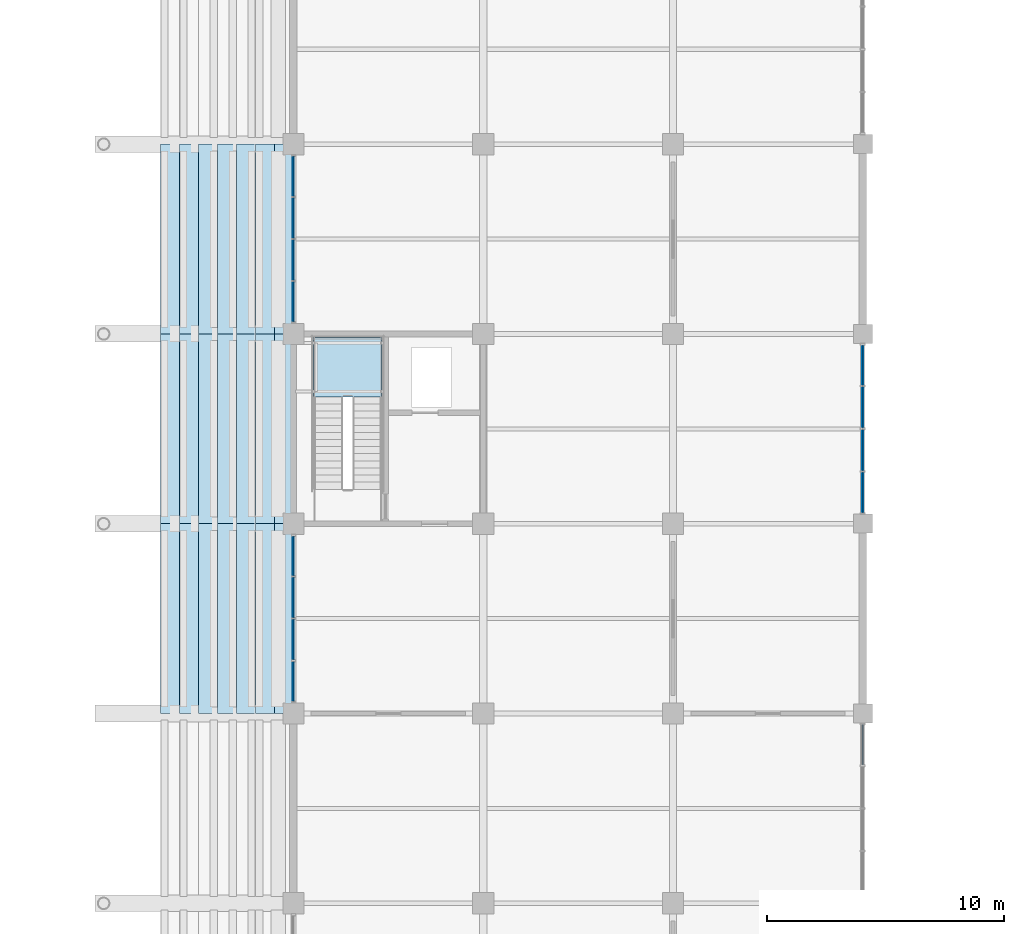
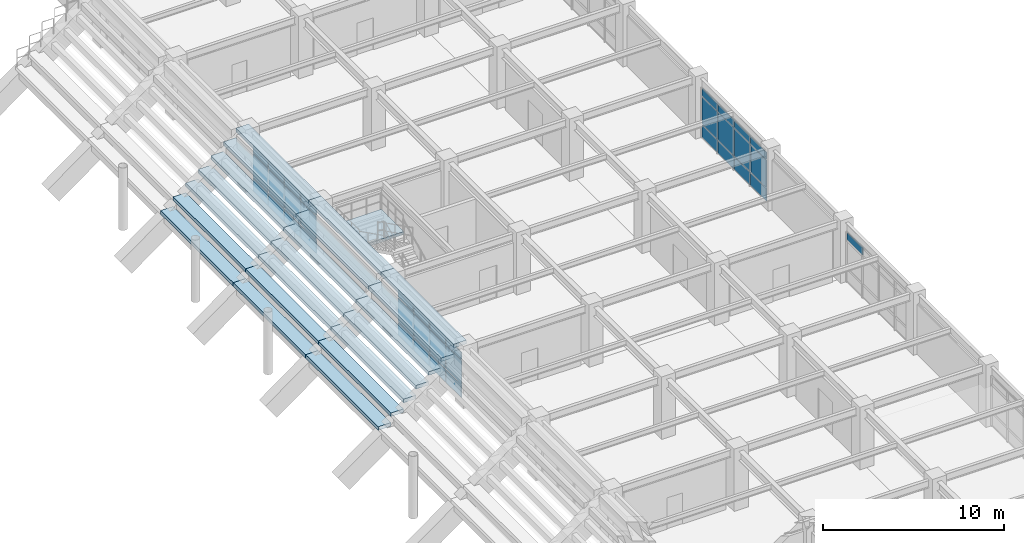
# One storey, part 76 of 118: 37 plates, 22 slabs, 5 elements without a shape of their own.
"""IFC4 building model written with IfcOpenShell, lengths in metres."""

from ifc_helpers import new_model, si_unit, direction, frame, origin, origin_2d, place, context, subcontext, project, spatial, polyline, rectangle, outline, extrude, material, layer, layer_set, type_object, element, aggregate, save


model = new_model("IFC4")

# Units and contexts
model_context = context("Model", 3, precision=1e-05, world=origin(), true_north=direction((0.0, 1.0)))
body_context = subcontext(model_context, "Body", "Model", "MODEL_VIEW")
ifc_project = project(units=[si_unit("LENGTHUNIT", "METRE"), si_unit("AREAUNIT", "SQUARE_METRE"), si_unit("VOLUMEUNIT", "CUBIC_METRE"), si_unit("PLANEANGLEUNIT", "RADIAN"), si_unit("MASSUNIT", "GRAM", prefix="KILO")], contexts=[model_context])

# Site, building, storey
site_placement = place(None, origin())
site = spatial("IfcSite", under=ifc_project, at=site_placement, CompositionType="ELEMENT")
building_placement = place(site_placement, origin())
building = spatial("IfcBuilding", under=site, at=building_placement, Name="Haebicheon Civic Stadium", CompositionType="ELEMENT")
storey_placement = place(building_placement, frame((0.0, 0.0, 14.39990234375)))
storey = spatial("IfcBuildingStorey", under=building, at=storey_placement, Name="L04", CompositionType="ELEMENT", Elevation=14.39990234375)

# Curtain wall, plates
ifc_material_1 = material(Name="Anodised aluminium and laminated glass", Category="aluminium")
ifc_layer_1 = layer(ifc_material_1, 0.179931640625, Name="Anodised aluminium and laminated glass")
ifc_layer_set_1 = layer_set([ifc_layer_1], Name="Anodised aluminium and laminated glass")
curtain_wall_type_1 = type_object("IfcCurtainWallType", Name="CW-7100x3100", PredefinedType="NOTDEFINED", material=ifc_layer_set_1)
curtain_wall_1_placement = place(storey_placement, origin())
curtain_wall_1 = element("IfcCurtainWall", 1, at=curtain_wall_1_placement, inside=storey, type_object=curtain_wall_type_1, material=ifc_layer_set_1, Name="L04 unitised curtain wall 145", PredefinedType="NOTDEFINED")
ifc_material_2 = material(Name="Double low-e acoustic laminated glass", Category="glass")
ifc_layer_2 = layer(ifc_material_2, 0.035888671875, Name="Double low-e acoustic laminated glass")
ifc_layer_set_2 = layer_set([ifc_layer_2], Name="Double low-e acoustic laminated glass")
plate_type_1 = type_object("IfcPlateType", Name="CWP-GLZ-36", PredefinedType="CURTAIN_PANEL", material=ifc_layer_set_2)
plate_1_placement = place(storey_placement, frame((144.0, 97.35498046875, 0.93505859375), z_axis=(0.0, 0.0, 1.0), x_axis=(0.0, 1.0, 0.0)))
plate_1 = element("IfcPlate", 2, at=plate_1_placement, type_object=plate_type_1, material=ifc_layer_set_2, Name="CW-L04-145 vision panel 1.2", PredefinedType="CURTAIN_PANEL", context=body_context, shape_type="SweptSolid", body=[
    extrude(rectangle(XDim=1.669921875, YDim=0.035888671875, at=origin_2d()), origin(), (0.0, 0.0, 1.0), 1.580078125),
])
plate_2_placement = place(storey_placement, frame((144.0, 99.112060546875, 0.93505859375), z_axis=(0.0, 0.0, 1.0), x_axis=(0.0, 1.0, 0.0)))
plate_2 = element("IfcPlate", 3, at=plate_2_placement, type_object=plate_type_1, material=ifc_layer_set_2, Name="CW-L04-145 vision panel 2.2", PredefinedType="CURTAIN_PANEL", context=body_context, shape_type="SweptSolid", body=[
    extrude(rectangle(XDim=1.705078125, YDim=0.035888671875, at=origin_2d()), origin(), (0.0, 0.0, 1.0), 1.580078125),
])
plate_3_placement = place(storey_placement, frame((144.0, 100.887939453125, 0.93505859375), z_axis=(0.0, 0.0, 1.0), x_axis=(0.0, 1.0, 0.0)))
plate_3 = element("IfcPlate", 4, at=plate_3_placement, type_object=plate_type_1, material=ifc_layer_set_2, Name="CW-L04-145 vision panel 3.2", PredefinedType="CURTAIN_PANEL", context=body_context, shape_type="SweptSolid", body=[
    extrude(rectangle(XDim=1.705078125, YDim=0.035888671875, at=origin_2d()), origin(), (0.0, 0.0, 1.0), 1.580078125),
])
plate_4_placement = place(storey_placement, frame((144.0, 102.64501953125, 0.93505859375), z_axis=(0.0, 0.0, 1.0), x_axis=(0.0, 1.0, 0.0)))
plate_4 = element("IfcPlate", 5, at=plate_4_placement, type_object=plate_type_1, material=ifc_layer_set_2, Name="CW-L04-145 vision panel 4.2", PredefinedType="CURTAIN_PANEL", context=body_context, shape_type="SweptSolid", body=[
    extrude(rectangle(XDim=1.669921875, YDim=0.035888671875, at=origin_2d()), origin(), (0.0, 0.0, 1.0), 1.580078125),
])

curtain_wall_2_placement = place(storey_placement, origin())
curtain_wall_2 = element("IfcCurtainWall", 6, at=curtain_wall_2_placement, inside=storey, type_object=curtain_wall_type_1, material=ifc_layer_set_1, Name="L04 unitised curtain wall 146", PredefinedType="NOTDEFINED")
plate_5_placement = place(storey_placement, frame((144.0, 113.35498046875, 0.93505859375), z_axis=(0.0, 0.0, 1.0), x_axis=(0.0, 1.0, 0.0)))
plate_5 = element("IfcPlate", 7, at=plate_5_placement, type_object=plate_type_1, material=ifc_layer_set_2, Name="CW-L04-146 vision panel 1.2", PredefinedType="CURTAIN_PANEL", context=body_context, shape_type="SweptSolid", body=[
    extrude(rectangle(XDim=1.669921875, YDim=0.035888671875, at=origin_2d()), origin(), (0.0, 0.0, 1.0), 1.580078125),
])
plate_6_placement = place(storey_placement, frame((144.0, 115.112060546875, 0.93505859375), z_axis=(0.0, 0.0, 1.0), x_axis=(0.0, 1.0, 0.0)))
plate_6 = element("IfcPlate", 8, at=plate_6_placement, type_object=plate_type_1, material=ifc_layer_set_2, Name="CW-L04-146 vision panel 2.2", PredefinedType="CURTAIN_PANEL", context=body_context, shape_type="SweptSolid", body=[
    extrude(rectangle(XDim=1.705078125, YDim=0.035888671875, at=origin_2d()), origin(), (0.0, 0.0, 1.0), 1.580078125),
])
plate_7_placement = place(storey_placement, frame((144.0, 116.887939453125, 0.93505859375), z_axis=(0.0, 0.0, 1.0), x_axis=(0.0, 1.0, 0.0)))
plate_7 = element("IfcPlate", 9, at=plate_7_placement, type_object=plate_type_1, material=ifc_layer_set_2, Name="CW-L04-146 vision panel 3.2", PredefinedType="CURTAIN_PANEL", context=body_context, shape_type="SweptSolid", body=[
    extrude(rectangle(XDim=1.705078125, YDim=0.035888671875, at=origin_2d()), origin(), (0.0, 0.0, 1.0), 1.580078125),
])
plate_8_placement = place(storey_placement, frame((144.0, 118.64501953125, 0.93505859375), z_axis=(0.0, 0.0, 1.0), x_axis=(0.0, 1.0, 0.0)))
plate_8 = element("IfcPlate", 10, at=plate_8_placement, type_object=plate_type_1, material=ifc_layer_set_2, Name="CW-L04-146 vision panel 4.2", PredefinedType="CURTAIN_PANEL", context=body_context, shape_type="SweptSolid", body=[
    extrude(rectangle(XDim=1.669921875, YDim=0.035888671875, at=origin_2d()), origin(), (0.0, 0.0, 1.0), 1.580078125),
])

ifc_material_3 = material(Name="Anodised aluminium and laminated glass", Category="aluminium")
ifc_layer_3 = layer(ifc_material_3, 0.179931640625, Name="Anodised aluminium and laminated glass")
ifc_layer_set_3 = layer_set([ifc_layer_3], Name="Anodised aluminium and laminated glass")
curtain_wall_type_2 = type_object("IfcCurtainWallType", Name="CW-7200x3350", PredefinedType="NOTDEFINED", material=ifc_layer_set_3)
curtain_wall_3_placement = place(storey_placement, origin())
curtain_wall_3 = element("IfcCurtainWall", 11, at=curtain_wall_3_placement, inside=storey, type_object=curtain_wall_type_2, material=ifc_layer_set_3, Name="L04 unitised curtain wall 157", PredefinedType="NOTDEFINED")
plate_9_placement = place(storey_placement, frame((168.0, 105.318115234375, 0.93505859375), z_axis=(0.0, 0.0, 1.0), x_axis=(0.0, 1.0, 0.0)))
plate_9 = element("IfcPlate", 12, at=plate_9_placement, type_object=plate_type_1, material=ifc_layer_set_2, Name="CW-L04-157 vision panel 1.2", PredefinedType="CURTAIN_PANEL", context=body_context, shape_type="SweptSolid", body=[
    extrude(rectangle(XDim=1.695068359375, YDim=0.035888671875, at=origin_2d()), origin(), (0.0, 0.0, 1.0), 1.830078125),
])
plate_10_placement = place(storey_placement, frame((168.0, 107.10009765625, 0.93505859375), z_axis=(0.0, 0.0, 1.0), x_axis=(0.0, 1.0, 0.0)))
plate_10 = element("IfcPlate", 13, at=plate_10_placement, type_object=plate_type_1, material=ifc_layer_set_2, Name="CW-L04-157 vision panel 2.2", PredefinedType="CURTAIN_PANEL", context=body_context, shape_type="SweptSolid", body=[
    extrude(rectangle(XDim=1.72998046875, YDim=0.035888671875, at=origin_2d()), origin(), (0.0, 0.0, 1.0), 1.830078125),
])
plate_11_placement = place(storey_placement, frame((168.0, 108.89990234375, 0.93505859375), z_axis=(0.0, 0.0, 1.0), x_axis=(0.0, 1.0, 0.0)))
plate_11 = element("IfcPlate", 14, at=plate_11_placement, type_object=plate_type_1, material=ifc_layer_set_2, Name="CW-L04-157 vision panel 3.2", PredefinedType="CURTAIN_PANEL", context=body_context, shape_type="SweptSolid", body=[
    extrude(rectangle(XDim=1.72998046875, YDim=0.035888671875, at=origin_2d()), origin(), (0.0, 0.0, 1.0), 1.830078125),
])
plate_12_placement = place(storey_placement, frame((168.0, 110.681884765625, 0.93505859375), z_axis=(0.0, 0.0, 1.0), x_axis=(0.0, 1.0, 0.0)))
plate_12 = element("IfcPlate", 15, at=plate_12_placement, type_object=plate_type_1, material=ifc_layer_set_2, Name="CW-L04-157 vision panel 4.2", PredefinedType="CURTAIN_PANEL", context=body_context, shape_type="SweptSolid", body=[
    extrude(rectangle(XDim=1.695068359375, YDim=0.035888671875, at=origin_2d()), origin(), (0.0, 0.0, 1.0), 1.830078125),
])

# Plate
ifc_material_4 = material(Name="Anodised aluminium 6063-T6", Category="aluminium")
ifc_layer_4 = layer(ifc_material_4, 0.053955078125, Name="Anodised aluminium 6063-T6")
ifc_layer_set_4 = layer_set([ifc_layer_4], Name="Anodised aluminium 6063-T6")
plate_type_2 = type_object("IfcPlateType", Name="CWP-SPD-54", PredefinedType="CURTAIN_PANEL", material=ifc_layer_set_4)
plate_13_placement = place(storey_placement, frame((144.0, 97.35498046875, 0.03515625), z_axis=(0.0, 0.0, 1.0), x_axis=(0.0, 1.0, 0.0)))
plate_13 = element("IfcPlate", 16, at=plate_13_placement, type_object=plate_type_2, material=ifc_layer_set_4, Name="CW-L04-145 spandrel panel 1.1", PredefinedType="CURTAIN_PANEL", context=body_context, shape_type="SweptSolid", body=[
    extrude(rectangle(XDim=1.669921875, YDim=0.053955078125, at=origin_2d()), origin(), (0.0, 0.0, 1.0), 0.830078125),
])

plate_14_placement = place(storey_placement, frame((144.0, 97.35498046875, 2.585205078125), z_axis=(0.0, 0.0, 1.0), x_axis=(0.0, 1.0, 0.0)))
plate_14 = element("IfcPlate", 17, at=plate_14_placement, type_object=plate_type_2, material=ifc_layer_set_4, Name="CW-L04-145 spandrel panel 1.3", PredefinedType="CURTAIN_PANEL", context=body_context, shape_type="SweptSolid", body=[
    extrude(rectangle(XDim=1.669921875, YDim=0.053955078125, at=origin_2d()), origin(), (0.0, 0.0, 1.0), 0.47998046875),
])

plate_15_placement = place(storey_placement, frame((144.0, 99.112060546875, 0.03515625), z_axis=(0.0, 0.0, 1.0), x_axis=(0.0, 1.0, 0.0)))
plate_15 = element("IfcPlate", 18, at=plate_15_placement, type_object=plate_type_2, material=ifc_layer_set_4, Name="CW-L04-145 spandrel panel 2.1", PredefinedType="CURTAIN_PANEL", context=body_context, shape_type="SweptSolid", body=[
    extrude(rectangle(XDim=1.705078125, YDim=0.053955078125, at=origin_2d()), origin(), (0.0, 0.0, 1.0), 0.830078125),
])

plate_16_placement = place(storey_placement, frame((144.0, 99.112060546875, 2.585205078125), z_axis=(0.0, 0.0, 1.0), x_axis=(0.0, 1.0, 0.0)))
plate_16 = element("IfcPlate", 19, at=plate_16_placement, type_object=plate_type_2, material=ifc_layer_set_4, Name="CW-L04-145 spandrel panel 2.3", PredefinedType="CURTAIN_PANEL", context=body_context, shape_type="SweptSolid", body=[
    extrude(rectangle(XDim=1.705078125, YDim=0.053955078125, at=origin_2d()), origin(), (0.0, 0.0, 1.0), 0.47998046875),
])

plate_17_placement = place(storey_placement, frame((144.0, 100.887939453125, 0.03515625), z_axis=(0.0, 0.0, 1.0), x_axis=(0.0, 1.0, 0.0)))
plate_17 = element("IfcPlate", 20, at=plate_17_placement, type_object=plate_type_2, material=ifc_layer_set_4, Name="CW-L04-145 spandrel panel 3.1", PredefinedType="CURTAIN_PANEL", context=body_context, shape_type="SweptSolid", body=[
    extrude(rectangle(XDim=1.705078125, YDim=0.053955078125, at=origin_2d()), origin(), (0.0, 0.0, 1.0), 0.830078125),
])

plate_18_placement = place(storey_placement, frame((144.0, 100.887939453125, 2.585205078125), z_axis=(0.0, 0.0, 1.0), x_axis=(0.0, 1.0, 0.0)))
plate_18 = element("IfcPlate", 21, at=plate_18_placement, type_object=plate_type_2, material=ifc_layer_set_4, Name="CW-L04-145 spandrel panel 3.3", PredefinedType="CURTAIN_PANEL", context=body_context, shape_type="SweptSolid", body=[
    extrude(rectangle(XDim=1.705078125, YDim=0.053955078125, at=origin_2d()), origin(), (0.0, 0.0, 1.0), 0.47998046875),
])

plate_19_placement = place(storey_placement, frame((144.0, 102.64501953125, 0.03515625), z_axis=(0.0, 0.0, 1.0), x_axis=(0.0, 1.0, 0.0)))
plate_19 = element("IfcPlate", 22, at=plate_19_placement, type_object=plate_type_2, material=ifc_layer_set_4, Name="CW-L04-145 spandrel panel 4.1", PredefinedType="CURTAIN_PANEL", context=body_context, shape_type="SweptSolid", body=[
    extrude(rectangle(XDim=1.669921875, YDim=0.053955078125, at=origin_2d()), origin(), (0.0, 0.0, 1.0), 0.830078125),
])

plate_20_placement = place(storey_placement, frame((144.0, 102.64501953125, 2.585205078125), z_axis=(0.0, 0.0, 1.0), x_axis=(0.0, 1.0, 0.0)))
plate_20 = element("IfcPlate", 23, at=plate_20_placement, type_object=plate_type_2, material=ifc_layer_set_4, Name="CW-L04-145 spandrel panel 4.3", PredefinedType="CURTAIN_PANEL", context=body_context, shape_type="SweptSolid", body=[
    extrude(rectangle(XDim=1.669921875, YDim=0.053955078125, at=origin_2d()), origin(), (0.0, 0.0, 1.0), 0.47998046875),
])

aggregate(curtain_wall_1, [plate_13, plate_1, plate_14, plate_15, plate_2, plate_16, plate_17, plate_3, plate_18, plate_19, plate_4, plate_20])

plate_21_placement = place(storey_placement, frame((144.0, 113.35498046875, 0.03515625), z_axis=(0.0, 0.0, 1.0), x_axis=(0.0, 1.0, 0.0)))
plate_21 = element("IfcPlate", 24, at=plate_21_placement, type_object=plate_type_2, material=ifc_layer_set_4, Name="CW-L04-146 spandrel panel 1.1", PredefinedType="CURTAIN_PANEL", context=body_context, shape_type="SweptSolid", body=[
    extrude(rectangle(XDim=1.669921875, YDim=0.053955078125, at=origin_2d()), origin(), (0.0, 0.0, 1.0), 0.830078125),
])

plate_22_placement = place(storey_placement, frame((144.0, 113.35498046875, 2.585205078125), z_axis=(0.0, 0.0, 1.0), x_axis=(0.0, 1.0, 0.0)))
plate_22 = element("IfcPlate", 25, at=plate_22_placement, type_object=plate_type_2, material=ifc_layer_set_4, Name="CW-L04-146 spandrel panel 1.3", PredefinedType="CURTAIN_PANEL", context=body_context, shape_type="SweptSolid", body=[
    extrude(rectangle(XDim=1.669921875, YDim=0.053955078125, at=origin_2d()), origin(), (0.0, 0.0, 1.0), 0.47998046875),
])

plate_23_placement = place(storey_placement, frame((144.0, 115.112060546875, 0.03515625), z_axis=(0.0, 0.0, 1.0), x_axis=(0.0, 1.0, 0.0)))
plate_23 = element("IfcPlate", 26, at=plate_23_placement, type_object=plate_type_2, material=ifc_layer_set_4, Name="CW-L04-146 spandrel panel 2.1", PredefinedType="CURTAIN_PANEL", context=body_context, shape_type="SweptSolid", body=[
    extrude(rectangle(XDim=1.705078125, YDim=0.053955078125, at=origin_2d()), origin(), (0.0, 0.0, 1.0), 0.830078125),
])

plate_24_placement = place(storey_placement, frame((144.0, 115.112060546875, 2.585205078125), z_axis=(0.0, 0.0, 1.0), x_axis=(0.0, 1.0, 0.0)))
plate_24 = element("IfcPlate", 27, at=plate_24_placement, type_object=plate_type_2, material=ifc_layer_set_4, Name="CW-L04-146 spandrel panel 2.3", PredefinedType="CURTAIN_PANEL", context=body_context, shape_type="SweptSolid", body=[
    extrude(rectangle(XDim=1.705078125, YDim=0.053955078125, at=origin_2d()), origin(), (0.0, 0.0, 1.0), 0.47998046875),
])

plate_25_placement = place(storey_placement, frame((144.0, 116.887939453125, 0.03515625), z_axis=(0.0, 0.0, 1.0), x_axis=(0.0, 1.0, 0.0)))
plate_25 = element("IfcPlate", 28, at=plate_25_placement, type_object=plate_type_2, material=ifc_layer_set_4, Name="CW-L04-146 spandrel panel 3.1", PredefinedType="CURTAIN_PANEL", context=body_context, shape_type="SweptSolid", body=[
    extrude(rectangle(XDim=1.705078125, YDim=0.053955078125, at=origin_2d()), origin(), (0.0, 0.0, 1.0), 0.830078125),
])

plate_26_placement = place(storey_placement, frame((144.0, 116.887939453125, 2.585205078125), z_axis=(0.0, 0.0, 1.0), x_axis=(0.0, 1.0, 0.0)))
plate_26 = element("IfcPlate", 29, at=plate_26_placement, type_object=plate_type_2, material=ifc_layer_set_4, Name="CW-L04-146 spandrel panel 3.3", PredefinedType="CURTAIN_PANEL", context=body_context, shape_type="SweptSolid", body=[
    extrude(rectangle(XDim=1.705078125, YDim=0.053955078125, at=origin_2d()), origin(), (0.0, 0.0, 1.0), 0.47998046875),
])

plate_27_placement = place(storey_placement, frame((144.0, 118.64501953125, 0.03515625), z_axis=(0.0, 0.0, 1.0), x_axis=(0.0, 1.0, 0.0)))
plate_27 = element("IfcPlate", 30, at=plate_27_placement, type_object=plate_type_2, material=ifc_layer_set_4, Name="CW-L04-146 spandrel panel 4.1", PredefinedType="CURTAIN_PANEL", context=body_context, shape_type="SweptSolid", body=[
    extrude(rectangle(XDim=1.669921875, YDim=0.053955078125, at=origin_2d()), origin(), (0.0, 0.0, 1.0), 0.830078125),
])

plate_28_placement = place(storey_placement, frame((144.0, 118.64501953125, 2.585205078125), z_axis=(0.0, 0.0, 1.0), x_axis=(0.0, 1.0, 0.0)))
plate_28 = element("IfcPlate", 31, at=plate_28_placement, type_object=plate_type_2, material=ifc_layer_set_4, Name="CW-L04-146 spandrel panel 4.3", PredefinedType="CURTAIN_PANEL", context=body_context, shape_type="SweptSolid", body=[
    extrude(rectangle(XDim=1.669921875, YDim=0.053955078125, at=origin_2d()), origin(), (0.0, 0.0, 1.0), 0.47998046875),
])

aggregate(curtain_wall_2, [plate_21, plate_5, plate_22, plate_23, plate_6, plate_24, plate_25, plate_7, plate_26, plate_27, plate_8, plate_28])

# Curtain wall, plate
curtain_wall_4_placement = place(storey_placement, origin())
curtain_wall_4 = element("IfcCurtainWall", 32, at=curtain_wall_4_placement, inside=storey, type_object=curtain_wall_type_2, material=ifc_layer_set_3, Name="L04 unitised curtain wall 156", PredefinedType="NOTDEFINED")
plate_29_placement = place(storey_placement, frame((168.0, 94.681884765625, 2.835205078125), z_axis=(0.0, 0.0, 1.0), x_axis=(0.0, 1.0, 0.0)))
plate_29 = element("IfcPlate", 33, at=plate_29_placement, type_object=plate_type_2, material=ifc_layer_set_4, Name="CW-L04-156 spandrel panel 4.3", PredefinedType="CURTAIN_PANEL", context=body_context, shape_type="SweptSolid", body=[
    extrude(rectangle(XDim=1.695068359375, YDim=0.053955078125, at=origin_2d()), origin(), (0.0, 0.0, 1.0), 0.47998046875),
])
aggregate(curtain_wall_4, [plate_29])

# Plate
plate_30_placement = place(storey_placement, frame((168.0, 105.318115234375, 0.03515625), z_axis=(0.0, 0.0, 1.0), x_axis=(0.0, 1.0, 0.0)))
plate_30 = element("IfcPlate", 34, at=plate_30_placement, type_object=plate_type_2, material=ifc_layer_set_4, Name="CW-L04-157 spandrel panel 1.1", PredefinedType="CURTAIN_PANEL", context=body_context, shape_type="SweptSolid", body=[
    extrude(rectangle(XDim=1.695068359375, YDim=0.053955078125, at=origin_2d()), origin(), (0.0, 0.0, 1.0), 0.830078125),
])

plate_31_placement = place(storey_placement, frame((168.0, 105.318115234375, 2.835205078125), z_axis=(0.0, 0.0, 1.0), x_axis=(0.0, 1.0, 0.0)))
plate_31 = element("IfcPlate", 35, at=plate_31_placement, type_object=plate_type_2, material=ifc_layer_set_4, Name="CW-L04-157 spandrel panel 1.3", PredefinedType="CURTAIN_PANEL", context=body_context, shape_type="SweptSolid", body=[
    extrude(rectangle(XDim=1.695068359375, YDim=0.053955078125, at=origin_2d()), origin(), (0.0, 0.0, 1.0), 0.47998046875),
])

plate_32_placement = place(storey_placement, frame((168.0, 107.10009765625, 0.03515625), z_axis=(0.0, 0.0, 1.0), x_axis=(0.0, 1.0, 0.0)))
plate_32 = element("IfcPlate", 36, at=plate_32_placement, type_object=plate_type_2, material=ifc_layer_set_4, Name="CW-L04-157 spandrel panel 2.1", PredefinedType="CURTAIN_PANEL", context=body_context, shape_type="SweptSolid", body=[
    extrude(rectangle(XDim=1.72998046875, YDim=0.053955078125, at=origin_2d()), origin(), (0.0, 0.0, 1.0), 0.830078125),
])

plate_33_placement = place(storey_placement, frame((168.0, 107.10009765625, 2.835205078125), z_axis=(0.0, 0.0, 1.0), x_axis=(0.0, 1.0, 0.0)))
plate_33 = element("IfcPlate", 37, at=plate_33_placement, type_object=plate_type_2, material=ifc_layer_set_4, Name="CW-L04-157 spandrel panel 2.3", PredefinedType="CURTAIN_PANEL", context=body_context, shape_type="SweptSolid", body=[
    extrude(rectangle(XDim=1.72998046875, YDim=0.053955078125, at=origin_2d()), origin(), (0.0, 0.0, 1.0), 0.47998046875),
])

plate_34_placement = place(storey_placement, frame((168.0, 108.89990234375, 0.03515625), z_axis=(0.0, 0.0, 1.0), x_axis=(0.0, 1.0, 0.0)))
plate_34 = element("IfcPlate", 38, at=plate_34_placement, type_object=plate_type_2, material=ifc_layer_set_4, Name="CW-L04-157 spandrel panel 3.1", PredefinedType="CURTAIN_PANEL", context=body_context, shape_type="SweptSolid", body=[
    extrude(rectangle(XDim=1.72998046875, YDim=0.053955078125, at=origin_2d()), origin(), (0.0, 0.0, 1.0), 0.830078125),
])

plate_35_placement = place(storey_placement, frame((168.0, 108.89990234375, 2.835205078125), z_axis=(0.0, 0.0, 1.0), x_axis=(0.0, 1.0, 0.0)))
plate_35 = element("IfcPlate", 39, at=plate_35_placement, type_object=plate_type_2, material=ifc_layer_set_4, Name="CW-L04-157 spandrel panel 3.3", PredefinedType="CURTAIN_PANEL", context=body_context, shape_type="SweptSolid", body=[
    extrude(rectangle(XDim=1.72998046875, YDim=0.053955078125, at=origin_2d()), origin(), (0.0, 0.0, 1.0), 0.47998046875),
])

plate_36_placement = place(storey_placement, frame((168.0, 110.681884765625, 0.03515625), z_axis=(0.0, 0.0, 1.0), x_axis=(0.0, 1.0, 0.0)))
plate_36 = element("IfcPlate", 40, at=plate_36_placement, type_object=plate_type_2, material=ifc_layer_set_4, Name="CW-L04-157 spandrel panel 4.1", PredefinedType="CURTAIN_PANEL", context=body_context, shape_type="SweptSolid", body=[
    extrude(rectangle(XDim=1.695068359375, YDim=0.053955078125, at=origin_2d()), origin(), (0.0, 0.0, 1.0), 0.830078125),
])

plate_37_placement = place(storey_placement, frame((168.0, 110.681884765625, 2.835205078125), z_axis=(0.0, 0.0, 1.0), x_axis=(0.0, 1.0, 0.0)))
plate_37 = element("IfcPlate", 41, at=plate_37_placement, type_object=plate_type_2, material=ifc_layer_set_4, Name="CW-L04-157 spandrel panel 4.3", PredefinedType="CURTAIN_PANEL", context=body_context, shape_type="SweptSolid", body=[
    extrude(rectangle(XDim=1.695068359375, YDim=0.053955078125, at=origin_2d()), origin(), (0.0, 0.0, 1.0), 0.47998046875),
])

aggregate(curtain_wall_3, [plate_30, plate_9, plate_31, plate_32, plate_10, plate_33, plate_34, plate_11, plate_35, plate_36, plate_12, plate_37])

# Stair, slab
ifc_material_5 = material(Name="Concrete C40/50", Category="concrete")
stair_type = type_object("IfcStairType", Name="STR-DL-W126-H42", PredefinedType="HALF_TURN_STAIR", material=ifc_material_5)
stair_placement = place(storey_placement, origin())
stair = element("IfcStair", 42, at=stair_placement, inside=storey, type_object=stair_type, material=ifc_material_5, Name="L04 Escape stair ST-11", PredefinedType="HALF_TURN_STAIR")
ifc_material_6 = material(Name="Concrete C40/50", Category="concrete")
ifc_layer_5 = layer(ifc_material_6, 0.199951171875, Name="Concrete C40/50")
ifc_layer_set_5 = layer_set([ifc_layer_5], Name="Concrete C40/50")
slab_type_1 = type_object("IfcSlabType", Name="SLB-LND-200", PredefinedType="LANDING", material=ifc_layer_set_5)
slab_1_placement = place(storey_placement, frame((0.0, 0.0, 1.900146484375)))
slab_1 = element("IfcSlab", 43, at=slab_1_placement, type_object=slab_type_1, material=ifc_layer_set_5, Name="ST-11 landing 1", PredefinedType="LANDING", context=body_context, shape_type="SweptSolid", body=[
    extrude(outline(polyline([(147.739990234375, 109.35009765625), (147.739990234375, 111.840087890625), (144.840087890625, 111.840087890625), (144.840087890625, 109.35009765625), (147.739990234375, 109.35009765625)])), origin(), (0.0, 0.0, 1.0), 0.199951171875),
])
aggregate(stair, [slab_1])

# Slabs
ifc_material_7 = material(Name="Precast concrete C40/50", Category="concrete")
ifc_layer_6 = layer(ifc_material_7, 0.239990234375, Name="Precast concrete C40/50")
ifc_layer_set_6 = layer_set([ifc_layer_6], Name="Precast concrete C40/50")
slab_type_2 = type_object("IfcSlabType", Name="SLB-TIER-240", PredefinedType="USERDEFINED", material=ifc_layer_set_6)
slab_2_placement = place(storey_placement, frame((0.0, 0.0, 0.093017578125)))
element("IfcSlab", 44, at=slab_2_placement, inside=storey, type_object=slab_type_2, material=ifc_layer_set_6, Name="TIER-E-U precast seating tier bay 7 row-band 4", ObjectType="SEATING TIER", PredefinedType="USERDEFINED", context=body_context, shape_type="SweptSolid", body=[
    extrude(outline(polyline([(138.39990234375, 96.0), (139.199951171875, 96.0), (139.199951171875, 104.0), (138.39990234375, 104.0), (138.39990234375, 96.0)])), origin(), (0.0, 0.0, 1.0), 0.239990234375),
])
slab_3_placement = place(storey_placement, frame((0.0, 0.0, 0.738037109375)))
element("IfcSlab", 45, at=slab_3_placement, inside=storey, type_object=slab_type_2, material=ifc_layer_set_6, Name="TIER-E-U precast seating tier bay 7 row-band 5", ObjectType="SEATING TIER", PredefinedType="USERDEFINED", context=body_context, shape_type="SweptSolid", body=[
    extrude(outline(polyline([(139.199951171875, 96.0), (140.0, 96.0), (140.0, 104.0), (139.199951171875, 104.0), (139.199951171875, 96.0)])), origin(), (0.0, 0.0, 1.0), 0.239990234375),
])
slab_4_placement = place(storey_placement, frame((0.0, 0.0, 1.382080078125)))
element("IfcSlab", 46, at=slab_4_placement, inside=storey, type_object=slab_type_2, material=ifc_layer_set_6, Name="TIER-E-U precast seating tier bay 7 row-band 6", ObjectType="SEATING TIER", PredefinedType="USERDEFINED", context=body_context, shape_type="SweptSolid", body=[
    extrude(outline(polyline([(140.0, 96.0), (140.800048828125, 96.0), (140.800048828125, 104.0), (140.0, 104.0), (140.0, 96.0)])), origin(), (0.0, 0.0, 1.0), 0.239990234375),
])
slab_5_placement = place(storey_placement, frame((0.0, 0.0, 2.027099609375)))
element("IfcSlab", 47, at=slab_5_placement, inside=storey, type_object=slab_type_2, material=ifc_layer_set_6, Name="TIER-E-U precast seating tier bay 7 row-band 7", ObjectType="SEATING TIER", PredefinedType="USERDEFINED", context=body_context, shape_type="SweptSolid", body=[
    extrude(outline(polyline([(140.800048828125, 96.0), (141.60009765625, 96.0), (141.60009765625, 104.0), (140.800048828125, 104.0), (140.800048828125, 96.0)])), origin(), (0.0, 0.0, 1.0), 0.239990234375),
])
slab_6_placement = place(storey_placement, frame((0.0, 0.0, 2.671142578125)))
element("IfcSlab", 48, at=slab_6_placement, inside=storey, type_object=slab_type_2, material=ifc_layer_set_6, Name="TIER-E-U precast seating tier bay 7 row-band 8", ObjectType="SEATING TIER", PredefinedType="USERDEFINED", context=body_context, shape_type="SweptSolid", body=[
    extrude(outline(polyline([(141.60009765625, 96.0), (142.39990234375, 96.0), (142.39990234375, 104.0), (141.60009765625, 104.0), (141.60009765625, 96.0)])), origin(), (0.0, 0.0, 1.0), 0.239990234375),
])
slab_7_placement = place(storey_placement, frame((0.0, 0.0, 3.316162109375)))
element("IfcSlab", 49, at=slab_7_placement, inside=storey, type_object=slab_type_2, material=ifc_layer_set_6, Name="TIER-E-U precast seating tier bay 7 row-band 9", ObjectType="SEATING TIER", PredefinedType="USERDEFINED", context=body_context, shape_type="SweptSolid", body=[
    extrude(outline(polyline([(142.39990234375, 96.0), (143.199951171875, 96.0), (143.199951171875, 104.0), (142.39990234375, 104.0), (142.39990234375, 96.0)])), origin(), (0.0, 0.0, 1.0), 0.239990234375),
])
slab_8_placement = place(storey_placement, frame((0.0, 0.0, 3.960205078125)))
element("IfcSlab", 50, at=slab_8_placement, inside=storey, type_object=slab_type_2, material=ifc_layer_set_6, Name="TIER-E-U precast seating tier bay 7 row-band 10", ObjectType="SEATING TIER", PredefinedType="USERDEFINED", context=body_context, shape_type="SweptSolid", body=[
    extrude(outline(polyline([(143.199951171875, 96.0), (144.0, 96.0), (144.0, 104.0), (143.199951171875, 104.0), (143.199951171875, 96.0)])), origin(), (0.0, 0.0, 1.0), 0.239990234375),
])
slab_9_placement = place(storey_placement, frame((0.0, 0.0, 0.093017578125)))
element("IfcSlab", 51, at=slab_9_placement, inside=storey, type_object=slab_type_2, material=ifc_layer_set_6, Name="TIER-E-U precast seating tier bay 8 row-band 4", ObjectType="SEATING TIER", PredefinedType="USERDEFINED", context=body_context, shape_type="SweptSolid", body=[
    extrude(outline(polyline([(138.39990234375, 104.0), (139.199951171875, 104.0), (139.199951171875, 112.0), (138.39990234375, 112.0), (138.39990234375, 104.0)])), origin(), (0.0, 0.0, 1.0), 0.239990234375),
])
slab_10_placement = place(storey_placement, frame((0.0, 0.0, 0.738037109375)))
element("IfcSlab", 52, at=slab_10_placement, inside=storey, type_object=slab_type_2, material=ifc_layer_set_6, Name="TIER-E-U precast seating tier bay 8 row-band 5", ObjectType="SEATING TIER", PredefinedType="USERDEFINED", context=body_context, shape_type="SweptSolid", body=[
    extrude(outline(polyline([(139.199951171875, 104.0), (140.0, 104.0), (140.0, 112.0), (139.199951171875, 112.0), (139.199951171875, 104.0)])), origin(), (0.0, 0.0, 1.0), 0.239990234375),
])
slab_11_placement = place(storey_placement, frame((0.0, 0.0, 1.382080078125)))
element("IfcSlab", 53, at=slab_11_placement, inside=storey, type_object=slab_type_2, material=ifc_layer_set_6, Name="TIER-E-U precast seating tier bay 8 row-band 6", ObjectType="SEATING TIER", PredefinedType="USERDEFINED", context=body_context, shape_type="SweptSolid", body=[
    extrude(outline(polyline([(140.0, 104.0), (140.800048828125, 104.0), (140.800048828125, 112.0), (140.0, 112.0), (140.0, 104.0)])), origin(), (0.0, 0.0, 1.0), 0.239990234375),
])
slab_12_placement = place(storey_placement, frame((0.0, 0.0, 2.027099609375)))
element("IfcSlab", 54, at=slab_12_placement, inside=storey, type_object=slab_type_2, material=ifc_layer_set_6, Name="TIER-E-U precast seating tier bay 8 row-band 7", ObjectType="SEATING TIER", PredefinedType="USERDEFINED", context=body_context, shape_type="SweptSolid", body=[
    extrude(outline(polyline([(140.800048828125, 104.0), (141.60009765625, 104.0), (141.60009765625, 112.0), (140.800048828125, 112.0), (140.800048828125, 104.0)])), origin(), (0.0, 0.0, 1.0), 0.239990234375),
])
slab_13_placement = place(storey_placement, frame((0.0, 0.0, 2.671142578125)))
element("IfcSlab", 55, at=slab_13_placement, inside=storey, type_object=slab_type_2, material=ifc_layer_set_6, Name="TIER-E-U precast seating tier bay 8 row-band 8", ObjectType="SEATING TIER", PredefinedType="USERDEFINED", context=body_context, shape_type="SweptSolid", body=[
    extrude(outline(polyline([(141.60009765625, 104.0), (142.39990234375, 104.0), (142.39990234375, 112.0), (141.60009765625, 112.0), (141.60009765625, 104.0)])), origin(), (0.0, 0.0, 1.0), 0.239990234375),
])
slab_14_placement = place(storey_placement, frame((0.0, 0.0, 3.316162109375)))
element("IfcSlab", 56, at=slab_14_placement, inside=storey, type_object=slab_type_2, material=ifc_layer_set_6, Name="TIER-E-U precast seating tier bay 8 row-band 9", ObjectType="SEATING TIER", PredefinedType="USERDEFINED", context=body_context, shape_type="SweptSolid", body=[
    extrude(outline(polyline([(142.39990234375, 104.0), (143.199951171875, 104.0), (143.199951171875, 112.0), (142.39990234375, 112.0), (142.39990234375, 104.0)])), origin(), (0.0, 0.0, 1.0), 0.239990234375),
])
slab_15_placement = place(storey_placement, frame((0.0, 0.0, 3.960205078125)))
element("IfcSlab", 57, at=slab_15_placement, inside=storey, type_object=slab_type_2, material=ifc_layer_set_6, Name="TIER-E-U precast seating tier bay 8 row-band 10", ObjectType="SEATING TIER", PredefinedType="USERDEFINED", context=body_context, shape_type="SweptSolid", body=[
    extrude(outline(polyline([(143.199951171875, 104.0), (144.0, 104.0), (144.0, 112.0), (143.199951171875, 112.0), (143.199951171875, 104.0)])), origin(), (0.0, 0.0, 1.0), 0.239990234375),
])
slab_16_placement = place(storey_placement, frame((0.0, 0.0, 0.093017578125)))
element("IfcSlab", 58, at=slab_16_placement, inside=storey, type_object=slab_type_2, material=ifc_layer_set_6, Name="TIER-E-U precast seating tier bay 9 row-band 4", ObjectType="SEATING TIER", PredefinedType="USERDEFINED", context=body_context, shape_type="SweptSolid", body=[
    extrude(outline(polyline([(138.39990234375, 112.0), (139.199951171875, 112.0), (139.199951171875, 120.0), (138.39990234375, 120.0), (138.39990234375, 112.0)])), origin(), (0.0, 0.0, 1.0), 0.239990234375),
])
slab_17_placement = place(storey_placement, frame((0.0, 0.0, 0.738037109375)))
element("IfcSlab", 59, at=slab_17_placement, inside=storey, type_object=slab_type_2, material=ifc_layer_set_6, Name="TIER-E-U precast seating tier bay 9 row-band 5", ObjectType="SEATING TIER", PredefinedType="USERDEFINED", context=body_context, shape_type="SweptSolid", body=[
    extrude(outline(polyline([(139.199951171875, 112.0), (140.0, 112.0), (140.0, 120.0), (139.199951171875, 120.0), (139.199951171875, 112.0)])), origin(), (0.0, 0.0, 1.0), 0.239990234375),
])
slab_18_placement = place(storey_placement, frame((0.0, 0.0, 1.382080078125)))
element("IfcSlab", 60, at=slab_18_placement, inside=storey, type_object=slab_type_2, material=ifc_layer_set_6, Name="TIER-E-U precast seating tier bay 9 row-band 6", ObjectType="SEATING TIER", PredefinedType="USERDEFINED", context=body_context, shape_type="SweptSolid", body=[
    extrude(outline(polyline([(140.0, 112.0), (140.800048828125, 112.0), (140.800048828125, 120.0), (140.0, 120.0), (140.0, 112.0)])), origin(), (0.0, 0.0, 1.0), 0.239990234375),
])
slab_19_placement = place(storey_placement, frame((0.0, 0.0, 2.027099609375)))
element("IfcSlab", 61, at=slab_19_placement, inside=storey, type_object=slab_type_2, material=ifc_layer_set_6, Name="TIER-E-U precast seating tier bay 9 row-band 7", ObjectType="SEATING TIER", PredefinedType="USERDEFINED", context=body_context, shape_type="SweptSolid", body=[
    extrude(outline(polyline([(140.800048828125, 112.0), (141.60009765625, 112.0), (141.60009765625, 120.0), (140.800048828125, 120.0), (140.800048828125, 112.0)])), origin(), (0.0, 0.0, 1.0), 0.239990234375),
])
slab_20_placement = place(storey_placement, frame((0.0, 0.0, 2.671142578125)))
element("IfcSlab", 62, at=slab_20_placement, inside=storey, type_object=slab_type_2, material=ifc_layer_set_6, Name="TIER-E-U precast seating tier bay 9 row-band 8", ObjectType="SEATING TIER", PredefinedType="USERDEFINED", context=body_context, shape_type="SweptSolid", body=[
    extrude(outline(polyline([(141.60009765625, 112.0), (142.39990234375, 112.0), (142.39990234375, 120.0), (141.60009765625, 120.0), (141.60009765625, 112.0)])), origin(), (0.0, 0.0, 1.0), 0.239990234375),
])
slab_21_placement = place(storey_placement, frame((0.0, 0.0, 3.316162109375)))
element("IfcSlab", 63, at=slab_21_placement, inside=storey, type_object=slab_type_2, material=ifc_layer_set_6, Name="TIER-E-U precast seating tier bay 9 row-band 9", ObjectType="SEATING TIER", PredefinedType="USERDEFINED", context=body_context, shape_type="SweptSolid", body=[
    extrude(outline(polyline([(142.39990234375, 112.0), (143.199951171875, 112.0), (143.199951171875, 120.0), (142.39990234375, 120.0), (142.39990234375, 112.0)])), origin(), (0.0, 0.0, 1.0), 0.239990234375),
])
slab_22_placement = place(storey_placement, frame((0.0, 0.0, 3.960205078125)))
element("IfcSlab", 64, at=slab_22_placement, inside=storey, type_object=slab_type_2, material=ifc_layer_set_6, Name="TIER-E-U precast seating tier bay 9 row-band 10", ObjectType="SEATING TIER", PredefinedType="USERDEFINED", context=body_context, shape_type="SweptSolid", body=[
    extrude(outline(polyline([(143.199951171875, 112.0), (144.0, 112.0), (144.0, 120.0), (143.199951171875, 120.0), (143.199951171875, 112.0)])), origin(), (0.0, 0.0, 1.0), 0.239990234375),
])

save(model, "model.ifc")
